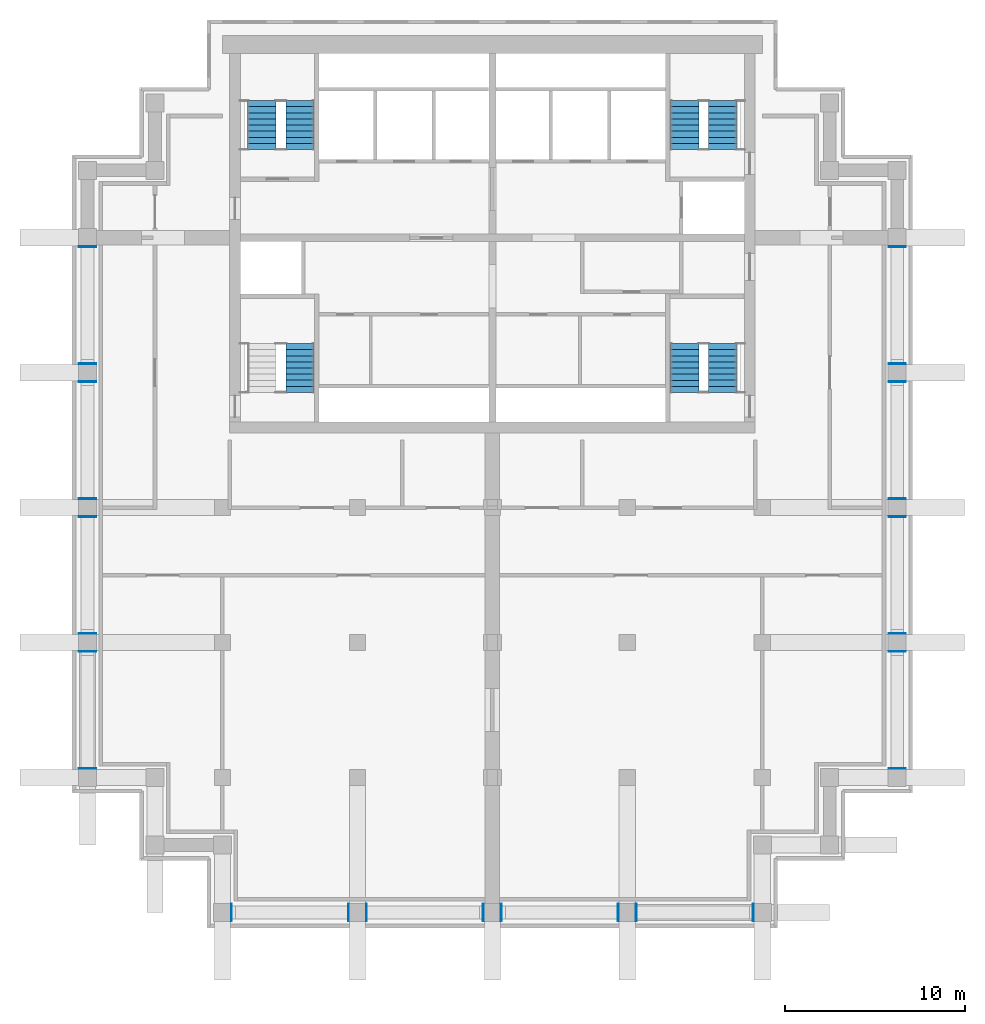
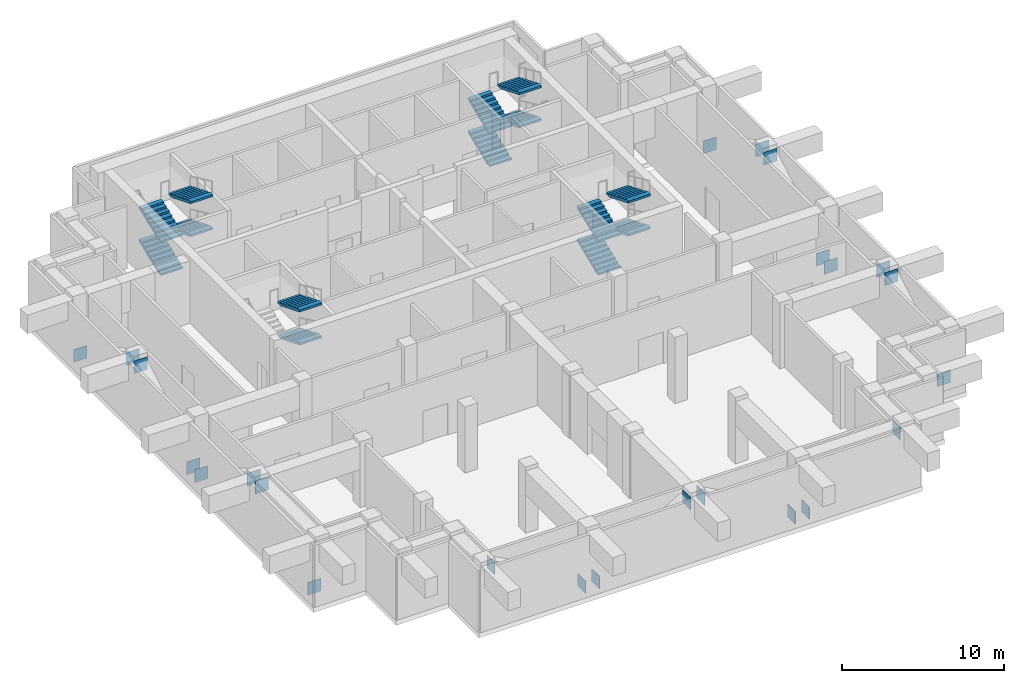
# One storey, part 5 of 6: 24 discrete accessories, 14 stair flights, 4 elements without a shape of their own.
"""IFC4 building model written with IfcOpenShell, lengths in metres."""

from ifc_helpers import new_model, si_unit, direction, frame, origin, origin_2d, place, context, subcontext, project, spatial, polyline, rectangle, outline, extrude, material, layer, layer_set, type_object, element, aggregate, save


model = new_model("IFC4")

# Units and contexts
model_context = context("Model", 3, precision=1e-05, world=origin(), true_north=direction((0.0, 1.0)))
body_context = subcontext(model_context, "Body", "Model", "MODEL_VIEW")
ifc_project = project(units=[si_unit("LENGTHUNIT", "METRE"), si_unit("AREAUNIT", "SQUARE_METRE"), si_unit("VOLUMEUNIT", "CUBIC_METRE"), si_unit("PLANEANGLEUNIT", "RADIAN"), si_unit("MASSUNIT", "GRAM", prefix="KILO")], contexts=[model_context])

# Site, building, storey
site_placement = place(None, origin())
site = spatial("IfcSite", under=ifc_project, at=site_placement, CompositionType="ELEMENT")
building_placement = place(site_placement, origin())
building = spatial("IfcBuilding", under=site, at=building_placement, Name="Pilkhan Gate Tower", CompositionType="ELEMENT")
storey_placement = place(building_placement, frame((0.0, 0.0, 183.699951171875)))
storey = spatial("IfcBuildingStorey", under=building, at=storey_placement, Name="L47", CompositionType="ELEMENT", Elevation=183.699951171875)

# Stair, stair flights
ifc_material_1 = material(Name="Concrete C40/50 precast", Category="concrete")
stair_type_1 = type_object("IfcStairType", Name="Stair ST1 139x340", PredefinedType="HALF_TURN_STAIR", material=ifc_material_1)
stair_1_placement = place(storey_placement, origin())
stair_1 = element("IfcStair", 1, at=stair_1_placement, inside=storey, type_object=stair_type_1, Name="Stair ST1 L47", PredefinedType="HALF_TURN_STAIR")
stair_flight_type_1 = type_object("IfcStairFlightType", Name="Stair flight ST1 139x340x9", PredefinedType="STRAIGHT", material=ifc_material_1)
stair_flight_1_placement = place(storey_placement, frame((85.68994140625, 73.89990234375, 0.0), z_axis=(0.0, 0.0, 1.0), x_axis=(0.0, 1.0, 0.0)))
stair_flight_1 = element("IfcStairFlight", 2, at=stair_flight_1_placement, type_object=stair_flight_type_1, Name="ST1 flight 1", NumberOfRisers=9, NumberOfTreads=8, PredefinedType="STRAIGHT", RiserHeight=0.138888889, TreadLength=0.34, context=body_context, shape_type="SweptSolid", body=[
    extrude(outline(polyline([(0.0, 0.0), (0.0, 0.138916015625), (0.340087890625, 0.138916015625), (0.340087890625, 0.27783203125), (0.679931640625, 0.27783203125), (0.679931640625, 0.416748046875), (1.02001953125, 0.416748046875), (1.02001953125, 0.5556640625), (1.360107421875, 0.5556640625), (1.360107421875, 0.6943359375), (1.699951171875, 0.6943359375), (1.699951171875, 0.833251953125), (2.0400390625, 0.833251953125), (2.0400390625, 0.97216796875), (2.3798828125, 0.97216796875), (2.3798828125, 1.111083984375), (2.719970703125, 1.111083984375), (2.719970703125, 1.25), (2.719970703125, 0.94921875), (0.396484375, 0.0), (0.0, 0.0)])), frame((0.0, 0.7900390625, 0.0), z_axis=(0.0, -1.0, 0.0), x_axis=(1.0, 0.0, 0.0)), (0.0, 0.0, 1.0), 1.580078125),
])
stair_flight_2_placement = place(storey_placement, frame((87.81005859375, 76.6201171875, 1.25), z_axis=(0.0, 0.0, 1.0), x_axis=(0.0, -1.0, 0.0)))
stair_flight_2 = element("IfcStairFlight", 3, at=stair_flight_2_placement, type_object=stair_flight_type_1, Name="ST1 flight 2", NumberOfRisers=9, NumberOfTreads=8, PredefinedType="STRAIGHT", RiserHeight=0.138888889, TreadLength=0.34, context=body_context, shape_type="SweptSolid", body=[
    extrude(outline(polyline([(0.0, 0.0), (0.0, 0.138916015625), (0.340087890625, 0.138916015625), (0.340087890625, 0.27783203125), (0.679931640625, 0.27783203125), (0.679931640625, 0.416748046875), (1.02001953125, 0.416748046875), (1.02001953125, 0.5556640625), (1.360107421875, 0.5556640625), (1.360107421875, 0.6943359375), (1.699951171875, 0.6943359375), (1.699951171875, 0.833251953125), (2.0400390625, 0.833251953125), (2.0400390625, 0.97216796875), (2.3798828125, 0.97216796875), (2.3798828125, 1.111083984375), (2.719970703125, 1.111083984375), (2.719970703125, 1.25), (2.719970703125, 0.94921875), (0.396484375, 0.0), (0.0, 0.0)])), frame((0.0, 0.7900390625, 0.0), z_axis=(0.0, -1.0, 0.0), x_axis=(1.0, 0.0, 0.0)), (0.0, 0.0, 1.0), 1.580078125),
])
stair_flight_3_placement = place(storey_placement, frame((85.68994140625, 73.89990234375, 2.5), z_axis=(0.0, 0.0, 1.0), x_axis=(0.0, 1.0, 0.0)))
stair_flight_3 = element("IfcStairFlight", 4, at=stair_flight_3_placement, type_object=stair_flight_type_1, Name="ST1 flight 3", NumberOfRisers=9, NumberOfTreads=8, PredefinedType="STRAIGHT", RiserHeight=0.138888889, TreadLength=0.34, context=body_context, shape_type="SweptSolid", body=[
    extrude(outline(polyline([(0.0, 0.0), (0.0, 0.138916015625), (0.340087890625, 0.138916015625), (0.340087890625, 0.27783203125), (0.679931640625, 0.27783203125), (0.679931640625, 0.416748046875), (1.02001953125, 0.416748046875), (1.02001953125, 0.5556640625), (1.360107421875, 0.5556640625), (1.360107421875, 0.6943359375), (1.699951171875, 0.6943359375), (1.699951171875, 0.833251953125), (2.0400390625, 0.833251953125), (2.0400390625, 0.97216796875), (2.3798828125, 0.97216796875), (2.3798828125, 1.111083984375), (2.719970703125, 1.111083984375), (2.719970703125, 1.25), (2.719970703125, 0.94921875), (0.396484375, 0.0), (0.0, 0.0)])), frame((0.0, 0.7900390625, 0.0), z_axis=(0.0, -1.0, 0.0), x_axis=(1.0, 0.0, 0.0)), (0.0, 0.0, 1.0), 1.580078125),
])
stair_flight_4_placement = place(storey_placement, frame((87.81005859375, 76.6201171875, 3.75), z_axis=(0.0, 0.0, 1.0), x_axis=(0.0, -1.0, 0.0)))
stair_flight_4 = element("IfcStairFlight", 5, at=stair_flight_4_placement, type_object=stair_flight_type_1, Name="ST1 flight 4", NumberOfRisers=9, NumberOfTreads=8, PredefinedType="STRAIGHT", RiserHeight=0.138888889, TreadLength=0.34, context=body_context, shape_type="SweptSolid", body=[
    extrude(outline(polyline([(0.0, 0.0), (0.0, 0.138916015625), (0.340087890625, 0.138916015625), (0.340087890625, 0.27783203125), (0.679931640625, 0.27783203125), (0.679931640625, 0.416748046875), (1.02001953125, 0.416748046875), (1.02001953125, 0.5556640625), (1.360107421875, 0.5556640625), (1.360107421875, 0.6943359375), (1.699951171875, 0.6943359375), (1.699951171875, 0.833251953125), (2.0400390625, 0.833251953125), (2.0400390625, 0.97216796875), (2.3798828125, 0.97216796875), (2.3798828125, 1.111083984375), (2.719970703125, 1.111083984375), (2.719970703125, 1.25), (2.719970703125, 0.94921875), (0.396484375, 0.0), (0.0, 0.0)])), frame((0.0, 0.7900390625, 0.0), z_axis=(0.0, -1.0, 0.0), x_axis=(1.0, 0.0, 0.0)), (0.0, 0.0, 1.0), 1.580078125),
])
aggregate(stair_1, [stair_flight_1, stair_flight_2, stair_flight_3, stair_flight_4])

stair_type_2 = type_object("IfcStairType", Name="Stair ST2 139x340", PredefinedType="HALF_TURN_STAIR", material=ifc_material_1)
stair_2_placement = place(storey_placement, origin())
stair_2 = element("IfcStair", 6, at=stair_2_placement, inside=storey, type_object=stair_type_2, Name="Stair ST2 L47", PredefinedType="HALF_TURN_STAIR")
stair_flight_type_2 = type_object("IfcStairFlightType", Name="Stair flight ST2 139x340x9", PredefinedType="STRAIGHT", material=ifc_material_1)
stair_flight_5_placement = place(storey_placement, frame((64.31005859375, 76.6201171875, 1.25), z_axis=(0.0, 0.0, 1.0), x_axis=(0.0, -1.0, 0.0)))
stair_flight_5 = element("IfcStairFlight", 7, at=stair_flight_5_placement, type_object=stair_flight_type_2, Name="ST2 flight 2", NumberOfRisers=9, NumberOfTreads=8, PredefinedType="STRAIGHT", RiserHeight=0.138888889, TreadLength=0.34, context=body_context, shape_type="SweptSolid", body=[
    extrude(outline(polyline([(0.0, 0.0), (0.0, 0.138916015625), (0.340087890625, 0.138916015625), (0.340087890625, 0.27783203125), (0.679931640625, 0.27783203125), (0.679931640625, 0.416748046875), (1.02001953125, 0.416748046875), (1.02001953125, 0.5556640625), (1.360107421875, 0.5556640625), (1.360107421875, 0.6943359375), (1.699951171875, 0.6943359375), (1.699951171875, 0.833251953125), (2.0400390625, 0.833251953125), (2.0400390625, 0.97216796875), (2.3798828125, 0.97216796875), (2.3798828125, 1.111083984375), (2.719970703125, 1.111083984375), (2.719970703125, 1.25), (2.719970703125, 0.94921875), (0.396484375, 0.0), (0.0, 0.0)])), frame((0.0, 0.7900390625, 0.0), z_axis=(0.0, -1.0, 0.0), x_axis=(1.0, 0.0, 0.0)), (0.0, 0.0, 1.0), 1.580078125),
])
stair_flight_6_placement = place(storey_placement, frame((64.31005859375, 76.6201171875, 3.75), z_axis=(0.0, 0.0, 1.0), x_axis=(0.0, -1.0, 0.0)))
stair_flight_6 = element("IfcStairFlight", 8, at=stair_flight_6_placement, type_object=stair_flight_type_2, Name="ST2 flight 4", NumberOfRisers=9, NumberOfTreads=8, PredefinedType="STRAIGHT", RiserHeight=0.138888889, TreadLength=0.34, context=body_context, shape_type="SweptSolid", body=[
    extrude(outline(polyline([(0.0, 0.0), (0.0, 0.138916015625), (0.340087890625, 0.138916015625), (0.340087890625, 0.27783203125), (0.679931640625, 0.27783203125), (0.679931640625, 0.416748046875), (1.02001953125, 0.416748046875), (1.02001953125, 0.5556640625), (1.360107421875, 0.5556640625), (1.360107421875, 0.6943359375), (1.699951171875, 0.6943359375), (1.699951171875, 0.833251953125), (2.0400390625, 0.833251953125), (2.0400390625, 0.97216796875), (2.3798828125, 0.97216796875), (2.3798828125, 1.111083984375), (2.719970703125, 1.111083984375), (2.719970703125, 1.25), (2.719970703125, 0.94921875), (0.396484375, 0.0), (0.0, 0.0)])), frame((0.0, 0.7900390625, 0.0), z_axis=(0.0, -1.0, 0.0), x_axis=(1.0, 0.0, 0.0)), (0.0, 0.0, 1.0), 1.580078125),
])
aggregate(stair_2, [stair_flight_5, stair_flight_6])

stair_type_3 = type_object("IfcStairType", Name="Stair ST3 139x340", PredefinedType="HALF_TURN_STAIR", material=ifc_material_1)
stair_3_placement = place(storey_placement, origin())
stair_3 = element("IfcStair", 9, at=stair_3_placement, inside=storey, type_object=stair_type_3, Name="Stair ST3 L47", PredefinedType="HALF_TURN_STAIR")
stair_flight_type_3 = type_object("IfcStairFlightType", Name="Stair flight ST3 139x340x9", PredefinedType="STRAIGHT", material=ifc_material_1)
stair_flight_7_placement = place(storey_placement, frame((62.18994140625, 87.39990234375, 0.0), z_axis=(0.0, 0.0, 1.0), x_axis=(0.0, 1.0, 0.0)))
stair_flight_7 = element("IfcStairFlight", 10, at=stair_flight_7_placement, type_object=stair_flight_type_3, Name="ST3 flight 1", NumberOfRisers=9, NumberOfTreads=8, PredefinedType="STRAIGHT", RiserHeight=0.138888889, TreadLength=0.34, context=body_context, shape_type="SweptSolid", body=[
    extrude(outline(polyline([(0.0, 0.0), (0.0, 0.138916015625), (0.340087890625, 0.138916015625), (0.340087890625, 0.27783203125), (0.679931640625, 0.27783203125), (0.679931640625, 0.416748046875), (1.02001953125, 0.416748046875), (1.02001953125, 0.5556640625), (1.360107421875, 0.5556640625), (1.360107421875, 0.6943359375), (1.699951171875, 0.6943359375), (1.699951171875, 0.833251953125), (2.0400390625, 0.833251953125), (2.0400390625, 0.97216796875), (2.3798828125, 0.97216796875), (2.3798828125, 1.111083984375), (2.719970703125, 1.111083984375), (2.719970703125, 1.25), (2.719970703125, 0.94921875), (0.396484375, 0.0), (0.0, 0.0)])), frame((0.0, 0.7900390625, 0.0), z_axis=(0.0, -1.0, 0.0), x_axis=(1.0, 0.0, 0.0)), (0.0, 0.0, 1.0), 1.580078125),
])
stair_flight_8_placement = place(storey_placement, frame((64.31005859375, 90.1201171875, 1.25), z_axis=(0.0, 0.0, 1.0), x_axis=(0.0, -1.0, 0.0)))
stair_flight_8 = element("IfcStairFlight", 11, at=stair_flight_8_placement, type_object=stair_flight_type_3, Name="ST3 flight 2", NumberOfRisers=9, NumberOfTreads=8, PredefinedType="STRAIGHT", RiserHeight=0.138888889, TreadLength=0.34, context=body_context, shape_type="SweptSolid", body=[
    extrude(outline(polyline([(0.0, 0.0), (0.0, 0.138916015625), (0.340087890625, 0.138916015625), (0.340087890625, 0.27783203125), (0.679931640625, 0.27783203125), (0.679931640625, 0.416748046875), (1.02001953125, 0.416748046875), (1.02001953125, 0.5556640625), (1.360107421875, 0.5556640625), (1.360107421875, 0.6943359375), (1.699951171875, 0.6943359375), (1.699951171875, 0.833251953125), (2.0400390625, 0.833251953125), (2.0400390625, 0.97216796875), (2.3798828125, 0.97216796875), (2.3798828125, 1.111083984375), (2.719970703125, 1.111083984375), (2.719970703125, 1.25), (2.719970703125, 0.94921875), (0.396484375, 0.0), (0.0, 0.0)])), frame((0.0, 0.7900390625, 0.0), z_axis=(0.0, -1.0, 0.0), x_axis=(1.0, 0.0, 0.0)), (0.0, 0.0, 1.0), 1.580078125),
])
stair_flight_9_placement = place(storey_placement, frame((62.18994140625, 87.39990234375, 2.5), z_axis=(0.0, 0.0, 1.0), x_axis=(0.0, 1.0, 0.0)))
stair_flight_9 = element("IfcStairFlight", 12, at=stair_flight_9_placement, type_object=stair_flight_type_3, Name="ST3 flight 3", NumberOfRisers=9, NumberOfTreads=8, PredefinedType="STRAIGHT", RiserHeight=0.138888889, TreadLength=0.34, context=body_context, shape_type="SweptSolid", body=[
    extrude(outline(polyline([(0.0, 0.0), (0.0, 0.138916015625), (0.340087890625, 0.138916015625), (0.340087890625, 0.27783203125), (0.679931640625, 0.27783203125), (0.679931640625, 0.416748046875), (1.02001953125, 0.416748046875), (1.02001953125, 0.5556640625), (1.360107421875, 0.5556640625), (1.360107421875, 0.6943359375), (1.699951171875, 0.6943359375), (1.699951171875, 0.833251953125), (2.0400390625, 0.833251953125), (2.0400390625, 0.97216796875), (2.3798828125, 0.97216796875), (2.3798828125, 1.111083984375), (2.719970703125, 1.111083984375), (2.719970703125, 1.25), (2.719970703125, 0.94921875), (0.396484375, 0.0), (0.0, 0.0)])), frame((0.0, 0.7900390625, 0.0), z_axis=(0.0, -1.0, 0.0), x_axis=(1.0, 0.0, 0.0)), (0.0, 0.0, 1.0), 1.580078125),
])
stair_flight_10_placement = place(storey_placement, frame((64.31005859375, 90.1201171875, 3.75), z_axis=(0.0, 0.0, 1.0), x_axis=(0.0, -1.0, 0.0)))
stair_flight_10 = element("IfcStairFlight", 13, at=stair_flight_10_placement, type_object=stair_flight_type_3, Name="ST3 flight 4", NumberOfRisers=9, NumberOfTreads=8, PredefinedType="STRAIGHT", RiserHeight=0.138888889, TreadLength=0.34, context=body_context, shape_type="SweptSolid", body=[
    extrude(outline(polyline([(0.0, 0.0), (0.0, 0.138916015625), (0.340087890625, 0.138916015625), (0.340087890625, 0.27783203125), (0.679931640625, 0.27783203125), (0.679931640625, 0.416748046875), (1.02001953125, 0.416748046875), (1.02001953125, 0.5556640625), (1.360107421875, 0.5556640625), (1.360107421875, 0.6943359375), (1.699951171875, 0.6943359375), (1.699951171875, 0.833251953125), (2.0400390625, 0.833251953125), (2.0400390625, 0.97216796875), (2.3798828125, 0.97216796875), (2.3798828125, 1.111083984375), (2.719970703125, 1.111083984375), (2.719970703125, 1.25), (2.719970703125, 0.94921875), (0.396484375, 0.0), (0.0, 0.0)])), frame((0.0, 0.7900390625, 0.0), z_axis=(0.0, -1.0, 0.0), x_axis=(1.0, 0.0, 0.0)), (0.0, 0.0, 1.0), 1.580078125),
])
aggregate(stair_3, [stair_flight_7, stair_flight_8, stair_flight_9, stair_flight_10])

stair_type_4 = type_object("IfcStairType", Name="Stair ST4 139x340", PredefinedType="HALF_TURN_STAIR", material=ifc_material_1)
stair_4_placement = place(storey_placement, origin())
stair_4 = element("IfcStair", 14, at=stair_4_placement, inside=storey, type_object=stair_type_4, Name="Stair ST4 L47", PredefinedType="HALF_TURN_STAIR")
stair_flight_type_4 = type_object("IfcStairFlightType", Name="Stair flight ST4 139x340x9", PredefinedType="STRAIGHT", material=ifc_material_1)
stair_flight_11_placement = place(storey_placement, frame((85.68994140625, 87.39990234375, 0.0), z_axis=(0.0, 0.0, 1.0), x_axis=(0.0, 1.0, 0.0)))
stair_flight_11 = element("IfcStairFlight", 15, at=stair_flight_11_placement, type_object=stair_flight_type_4, Name="ST4 flight 1", NumberOfRisers=9, NumberOfTreads=8, PredefinedType="STRAIGHT", RiserHeight=0.138888889, TreadLength=0.34, context=body_context, shape_type="SweptSolid", body=[
    extrude(outline(polyline([(0.0, 0.0), (0.0, 0.138916015625), (0.340087890625, 0.138916015625), (0.340087890625, 0.27783203125), (0.679931640625, 0.27783203125), (0.679931640625, 0.416748046875), (1.02001953125, 0.416748046875), (1.02001953125, 0.5556640625), (1.360107421875, 0.5556640625), (1.360107421875, 0.6943359375), (1.699951171875, 0.6943359375), (1.699951171875, 0.833251953125), (2.0400390625, 0.833251953125), (2.0400390625, 0.97216796875), (2.3798828125, 0.97216796875), (2.3798828125, 1.111083984375), (2.719970703125, 1.111083984375), (2.719970703125, 1.25), (2.719970703125, 0.94921875), (0.396484375, 0.0), (0.0, 0.0)])), frame((0.0, 0.7900390625, 0.0), z_axis=(0.0, -1.0, 0.0), x_axis=(1.0, 0.0, 0.0)), (0.0, 0.0, 1.0), 1.580078125),
])
stair_flight_12_placement = place(storey_placement, frame((87.81005859375, 90.1201171875, 1.25), z_axis=(0.0, 0.0, 1.0), x_axis=(0.0, -1.0, 0.0)))
stair_flight_12 = element("IfcStairFlight", 16, at=stair_flight_12_placement, type_object=stair_flight_type_4, Name="ST4 flight 2", NumberOfRisers=9, NumberOfTreads=8, PredefinedType="STRAIGHT", RiserHeight=0.138888889, TreadLength=0.34, context=body_context, shape_type="SweptSolid", body=[
    extrude(outline(polyline([(0.0, 0.0), (0.0, 0.138916015625), (0.340087890625, 0.138916015625), (0.340087890625, 0.27783203125), (0.679931640625, 0.27783203125), (0.679931640625, 0.416748046875), (1.02001953125, 0.416748046875), (1.02001953125, 0.5556640625), (1.360107421875, 0.5556640625), (1.360107421875, 0.6943359375), (1.699951171875, 0.6943359375), (1.699951171875, 0.833251953125), (2.0400390625, 0.833251953125), (2.0400390625, 0.97216796875), (2.3798828125, 0.97216796875), (2.3798828125, 1.111083984375), (2.719970703125, 1.111083984375), (2.719970703125, 1.25), (2.719970703125, 0.94921875), (0.396484375, 0.0), (0.0, 0.0)])), frame((0.0, 0.7900390625, 0.0), z_axis=(0.0, -1.0, 0.0), x_axis=(1.0, 0.0, 0.0)), (0.0, 0.0, 1.0), 1.580078125),
])
stair_flight_13_placement = place(storey_placement, frame((85.68994140625, 87.39990234375, 2.5), z_axis=(0.0, 0.0, 1.0), x_axis=(0.0, 1.0, 0.0)))
stair_flight_13 = element("IfcStairFlight", 17, at=stair_flight_13_placement, type_object=stair_flight_type_4, Name="ST4 flight 3", NumberOfRisers=9, NumberOfTreads=8, PredefinedType="STRAIGHT", RiserHeight=0.138888889, TreadLength=0.34, context=body_context, shape_type="SweptSolid", body=[
    extrude(outline(polyline([(0.0, 0.0), (0.0, 0.138916015625), (0.340087890625, 0.138916015625), (0.340087890625, 0.27783203125), (0.679931640625, 0.27783203125), (0.679931640625, 0.416748046875), (1.02001953125, 0.416748046875), (1.02001953125, 0.5556640625), (1.360107421875, 0.5556640625), (1.360107421875, 0.6943359375), (1.699951171875, 0.6943359375), (1.699951171875, 0.833251953125), (2.0400390625, 0.833251953125), (2.0400390625, 0.97216796875), (2.3798828125, 0.97216796875), (2.3798828125, 1.111083984375), (2.719970703125, 1.111083984375), (2.719970703125, 1.25), (2.719970703125, 0.94921875), (0.396484375, 0.0), (0.0, 0.0)])), frame((0.0, 0.7900390625, 0.0), z_axis=(0.0, -1.0, 0.0), x_axis=(1.0, 0.0, 0.0)), (0.0, 0.0, 1.0), 1.580078125),
])
stair_flight_14_placement = place(storey_placement, frame((87.81005859375, 90.1201171875, 3.75), z_axis=(0.0, 0.0, 1.0), x_axis=(0.0, -1.0, 0.0)))
stair_flight_14 = element("IfcStairFlight", 18, at=stair_flight_14_placement, type_object=stair_flight_type_4, Name="ST4 flight 4", NumberOfRisers=9, NumberOfTreads=8, PredefinedType="STRAIGHT", RiserHeight=0.138888889, TreadLength=0.34, context=body_context, shape_type="SweptSolid", body=[
    extrude(outline(polyline([(0.0, 0.0), (0.0, 0.138916015625), (0.340087890625, 0.138916015625), (0.340087890625, 0.27783203125), (0.679931640625, 0.27783203125), (0.679931640625, 0.416748046875), (1.02001953125, 0.416748046875), (1.02001953125, 0.5556640625), (1.360107421875, 0.5556640625), (1.360107421875, 0.6943359375), (1.699951171875, 0.6943359375), (1.699951171875, 0.833251953125), (2.0400390625, 0.833251953125), (2.0400390625, 0.97216796875), (2.3798828125, 0.97216796875), (2.3798828125, 1.111083984375), (2.719970703125, 1.111083984375), (2.719970703125, 1.25), (2.719970703125, 0.94921875), (0.396484375, 0.0), (0.0, 0.0)])), frame((0.0, 0.7900390625, 0.0), z_axis=(0.0, -1.0, 0.0), x_axis=(1.0, 0.0, 0.0)), (0.0, 0.0, 1.0), 1.580078125),
])
aggregate(stair_4, [stair_flight_11, stair_flight_12, stair_flight_13, stair_flight_14])

# Discrete accessories
ifc_material_2 = material(Name="Steel S355", Category="steel")
ifc_layer = layer(ifc_material_2, 0.0400390625)
ifc_layer_set = layer_set([ifc_layer], Name="Belt diagonal gusset plate GP40 S355")
discrete_accessory_type = type_object("IfcDiscreteAccessoryType", Name="Belt diagonal gusset plate GP40 S355", PredefinedType="ANCHORPLATE", material=ifc_layer_set)
for number, where, z_axis, x_axis, name in (
    (19, (83.0, 45.0, 0.02490234375), (0.0, 0.0, 1.0), (1.0, 0.0, 0.0), "Belt diagonal gusset plate BP25 L47"),
    (20, (89.5, 45.0, 3.72509765625), (0.0, 0.0, 1.0), (1.0, 0.0, 0.0), "Belt diagonal gusset plate BP26 L47"),
    (21, (82.0, 45.0, 0.02490234375), (0.0, 0.0, 1.0), (1.0, 0.0, 0.0), "Belt diagonal gusset plate BP27 L47"),
    (22, (75.5, 45.0, 3.72509765625), (0.0, 0.0, 1.0), (1.0, 0.0, 0.0), "Belt diagonal gusset plate BP28 L47"),
    (23, (68.0, 45.0, 0.02490234375), (0.0, 0.0, 1.0), (1.0, 0.0, 0.0), "Belt diagonal gusset plate BP29 L47"),
    (24, (74.5, 45.0, 3.72509765625), (0.0, 0.0, 1.0), (1.0, 0.0, 0.0), "Belt diagonal gusset plate BP30 L47"),
    (25, (67.0, 45.0, 0.02490234375), (0.0, 0.0, 1.0), (1.0, 0.0, 0.0), "Belt diagonal gusset plate BP31 L47"),
    (26, (60.5, 45.0, 3.72509765625), (0.0, 0.0, 1.0), (1.0, 0.0, 0.0), "Belt diagonal gusset plate BP32 L47"),
    (27, (52.5, 53.0, 0.02490234375), (0.0, 0.0, 1.0), (0.0, 1.0, 0.0), "Belt diagonal gusset plate BP33 L47"),
    (28, (52.5, 59.5, 3.72509765625), (0.0, 0.0, 1.0), (0.0, 1.0, 0.0), "Belt diagonal gusset plate BP34 L47"),
    (29, (52.5, 67.0, 0.02490234375), (0.0, 0.0, 1.0), (0.0, 1.0, 0.0), "Belt diagonal gusset plate BP35 L47"),
    (30, (52.5, 60.5, 3.72509765625), (0.0, 0.0, 1.0), (0.0, 1.0, 0.0), "Belt diagonal gusset plate BP36 L47"),
    (31, (52.5, 68.0, 0.02490234375), (0.0, 0.0, 1.0), (0.0, 1.0, 0.0), "Belt diagonal gusset plate BP37 L47"),
    (32, (52.5, 74.5, 3.72509765625), (0.0, 0.0, 1.0), (0.0, 1.0, 0.0), "Belt diagonal gusset plate BP38 L47"),
    (33, (52.5, 82.0, 0.02490234375), (0.0, 0.0, 1.0), (0.0, 1.0, 0.0), "Belt diagonal gusset plate BP39 L47"),
    (34, (52.5, 75.5, 3.72509765625), (0.0, 0.0, 1.0), (0.0, 1.0, 0.0), "Belt diagonal gusset plate BP40 L47"),
    (35, (97.5, 82.0, 0.02490234375), (0.0, 0.0, 1.0), (0.0, 1.0, 0.0), "Belt diagonal gusset plate BP41 L47"),
    (36, (97.5, 75.5, 3.72509765625), (0.0, 0.0, 1.0), (0.0, 1.0, 0.0), "Belt diagonal gusset plate BP42 L47"),
    (37, (97.5, 68.0, 0.02490234375), (0.0, 0.0, 1.0), (0.0, 1.0, 0.0), "Belt diagonal gusset plate BP43 L47"),
    (38, (97.5, 74.5, 3.72509765625), (0.0, 0.0, 1.0), (0.0, 1.0, 0.0), "Belt diagonal gusset plate BP44 L47"),
    (39, (97.5, 67.0, 0.02490234375), (0.0, 0.0, 1.0), (0.0, 1.0, 0.0), "Belt diagonal gusset plate BP45 L47"),
    (40, (97.5, 60.5, 3.72509765625), (0.0, 0.0, 1.0), (0.0, 1.0, 0.0), "Belt diagonal gusset plate BP46 L47"),
    (41, (97.5, 53.0, 0.02490234375), (0.0, 0.0, 1.0), (0.0, 1.0, 0.0), "Belt diagonal gusset plate BP47 L47"),
    (42, (97.5, 59.5, 3.72509765625), (0.0, 0.0, 1.0), (0.0, 1.0, 0.0), "Belt diagonal gusset plate BP48 L47"),
):
    element("IfcDiscreteAccessory", number, at=place(storey_placement, frame(where, z_axis=z_axis, x_axis=x_axis)), inside=storey, type_object=discrete_accessory_type, Name=name, PredefinedType="ANCHORPLATE", context=body_context, shape_type="SweptSolid", body=[
        extrude(rectangle(XDim=0.0400390625, YDim=0.949951171875, at=origin_2d()), origin(), (0.0, 0.0, 1.0), 0.949951171875),
    ])

save(model, "model.ifc")
